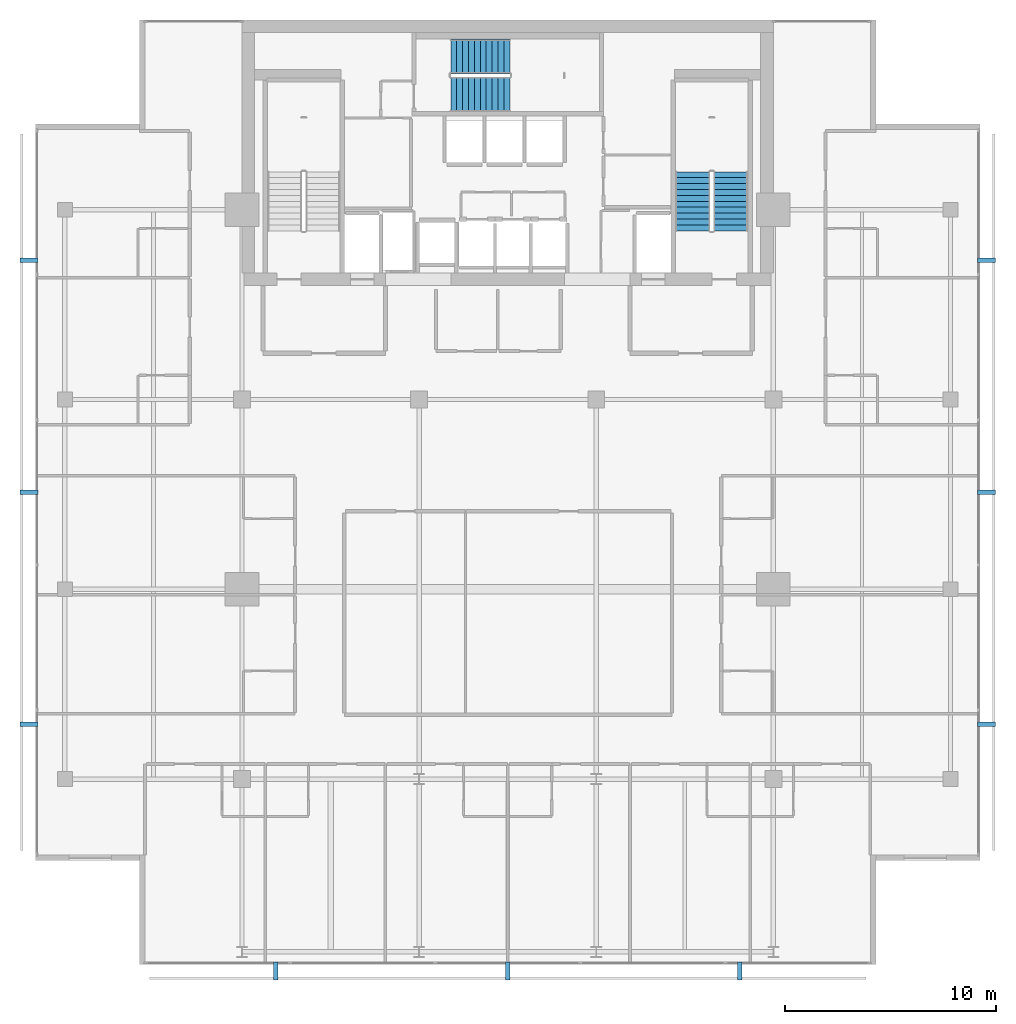
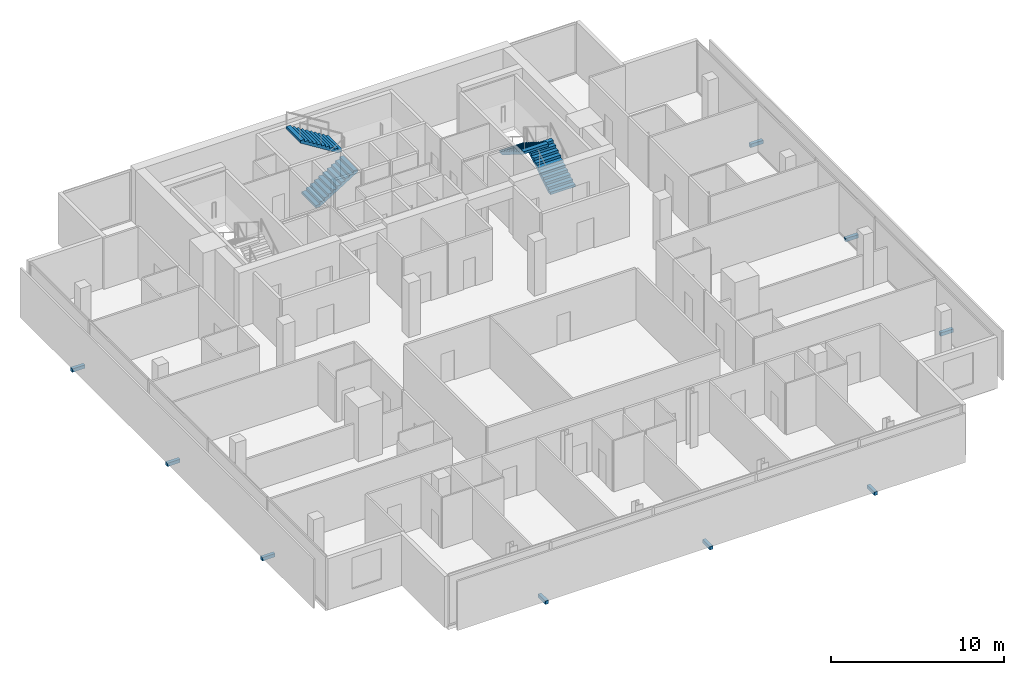
# One storey, part 24 of 26: 9 discrete accessories, 4 stair flights, 2 elements without a shape of their own.
"""IFC4 building model written with IfcOpenShell, lengths in metres."""

from ifc_helpers import new_model, si_unit, direction, frame, origin, origin_2d, place, context, subcontext, project, spatial, polyline, rectangle, outline, extrude, material, type_object, element, aggregate, save


model = new_model("IFC4")

# Units and contexts
model_context = context("Model", 3, precision=1e-05, world=origin(), true_north=direction((0.0, 1.0)))
body_context = subcontext(model_context, "Body", "Model", "MODEL_VIEW")
ifc_project = project(units=[si_unit("LENGTHUNIT", "METRE"), si_unit("AREAUNIT", "SQUARE_METRE"), si_unit("VOLUMEUNIT", "CUBIC_METRE"), si_unit("PLANEANGLEUNIT", "RADIAN"), si_unit("MASSUNIT", "GRAM", prefix="KILO")], contexts=[model_context])

# Site, building, storey
site_placement = place(None, origin())
site = spatial("IfcSite", under=ifc_project, at=site_placement, CompositionType="ELEMENT")
building_placement = place(site_placement, origin())
building = spatial("IfcBuilding", under=site, at=building_placement, Name="Maruvema Waterfront Hotel and Observation Tower", CompositionType="ELEMENT")
storey_placement = place(building_placement, frame((0.0, 0.0, 243.25)))
storey = spatial("IfcBuildingStorey", under=building, at=storey_placement, Name="L59", CompositionType="ELEMENT", Elevation=243.25)

# Stair, stair flights
ifc_material_1 = material(Name="Concrete C50/60", Category="concrete")
stair_type = type_object("IfcStairType", Name="Dogleg Exit Stair 1650 mm (22R x 175.0 mm)", PredefinedType="HALF_TURN_STAIR", material=ifc_material_1)
stair_1_placement = place(storey_placement, origin())
stair_1 = element("IfcStair", 1, at=stair_1_placement, inside=storey, type_object=stair_type, Name="L59 ST-02", PredefinedType="HALF_TURN_STAIR")
ifc_material_2 = material(Name="Concrete C50/60", Category="concrete")
stair_flight_type = type_object("IfcStairFlightType", Name="Reinforced Concrete Stair Flight 1650 mm (11R x 175.0 mm)", PredefinedType="STRAIGHT", material=ifc_material_2)
stair_flight_1_placement = place(storey_placement, frame((35.10009765625, 50.47509765625, 0.0), z_axis=(0.0, 0.0, 1.0), x_axis=(1.0, 0.0, 0.0)))
stair_flight_1 = element("IfcStairFlight", 2, at=stair_flight_1_placement, type_object=stair_flight_type, Name="ST-02 flight 1", NumberOfRisers=11, NumberOfTreads=10, PredefinedType="STRAIGHT", RiserHeight=0.175, TreadLength=0.28, context=body_context, shape_type="SweptSolid", body=[
    extrude(outline(polyline([(0.0, 0.0), (0.0, 0.175048828125), (0.280029296875, 0.175048828125), (0.280029296875, 0.35009765625), (0.56005859375, 0.35009765625), (0.56005859375, 0.52490234375), (0.840087890625, 0.52490234375), (0.840087890625, 0.699951171875), (1.1201171875, 0.699951171875), (1.1201171875, 0.875), (1.39990234375, 0.875), (1.39990234375, 1.050048828125), (1.679931640625, 1.050048828125), (1.679931640625, 1.22509765625), (1.9599609375, 1.22509765625), (1.9599609375, 1.39990234375), (2.239990234375, 1.39990234375), (2.239990234375, 1.574951171875), (2.52001953125, 1.574951171875), (2.52001953125, 1.75), (2.800048828125, 1.75), (2.800048828125, 1.925048828125), (2.800048828125, 1.5732421875), (0.28271484375, 0.0), (0.0, 0.0)])), frame((0.0, 0.824951171875, 0.0), z_axis=(0.0, -1.0, 0.0), x_axis=(1.0, 0.0, 0.0)), (0.0, 0.0, 1.0), 1.64990234375),
])
stair_flight_2_placement = place(storey_placement, frame((37.89990234375, 52.27490234375, 1.925048828125), z_axis=(0.0, 0.0, 1.0), x_axis=(-1.0, 0.0, 0.0)))
stair_flight_2 = element("IfcStairFlight", 3, at=stair_flight_2_placement, type_object=stair_flight_type, Name="ST-02 flight 2", NumberOfRisers=11, NumberOfTreads=10, PredefinedType="STRAIGHT", RiserHeight=0.175, TreadLength=0.28, context=body_context, shape_type="SweptSolid", body=[
    extrude(outline(polyline([(0.0, 0.0), (0.0, 0.175048828125), (0.280029296875, 0.175048828125), (0.280029296875, 0.35009765625), (0.56005859375, 0.35009765625), (0.56005859375, 0.52490234375), (0.840087890625, 0.52490234375), (0.840087890625, 0.699951171875), (1.1201171875, 0.699951171875), (1.1201171875, 0.875), (1.39990234375, 0.875), (1.39990234375, 1.050048828125), (1.679931640625, 1.050048828125), (1.679931640625, 1.22509765625), (1.9599609375, 1.22509765625), (1.9599609375, 1.39990234375), (2.239990234375, 1.39990234375), (2.239990234375, 1.574951171875), (2.52001953125, 1.574951171875), (2.52001953125, 1.75), (2.800048828125, 1.75), (2.800048828125, 1.925048828125), (2.800048828125, 1.5732421875), (0.28271484375, 0.0), (0.0, 0.0)])), frame((0.0, 0.824951171875, 0.0), z_axis=(0.0, -1.0, 0.0), x_axis=(1.0, 0.0, 0.0)), (0.0, 0.0, 1.0), 1.64990234375),
])
aggregate(stair_1, [stair_flight_1, stair_flight_2])

stair_2_placement = place(storey_placement, origin())
stair_2 = element("IfcStair", 4, at=stair_2_placement, inside=storey, type_object=stair_type, Name="L59 ST-03", PredefinedType="HALF_TURN_STAIR")
stair_flight_3_placement = place(storey_placement, frame((48.375, 44.0, 0.0), z_axis=(0.0, 0.0, 1.0), x_axis=(0.0, 1.0, 0.0)))
stair_flight_3 = element("IfcStairFlight", 5, at=stair_flight_3_placement, type_object=stair_flight_type, Name="ST-03 flight 1", NumberOfRisers=11, NumberOfTreads=10, PredefinedType="STRAIGHT", RiserHeight=0.175, TreadLength=0.28, context=body_context, shape_type="SweptSolid", body=[
    extrude(outline(polyline([(0.0, 0.0), (0.0, 0.175048828125), (0.280029296875, 0.175048828125), (0.280029296875, 0.35009765625), (0.56005859375, 0.35009765625), (0.56005859375, 0.52490234375), (0.840087890625, 0.52490234375), (0.840087890625, 0.699951171875), (1.1201171875, 0.699951171875), (1.1201171875, 0.875), (1.39990234375, 0.875), (1.39990234375, 1.050048828125), (1.679931640625, 1.050048828125), (1.679931640625, 1.22509765625), (1.9599609375, 1.22509765625), (1.9599609375, 1.39990234375), (2.239990234375, 1.39990234375), (2.239990234375, 1.574951171875), (2.52001953125, 1.574951171875), (2.52001953125, 1.75), (2.800048828125, 1.75), (2.800048828125, 1.925048828125), (2.800048828125, 1.5732421875), (0.28271484375, 0.0), (0.0, 0.0)])), frame((0.0, 0.824951171875, 0.0), z_axis=(0.0, -1.0, 0.0), x_axis=(1.0, 0.0, 0.0)), (0.0, 0.0, 1.0), 1.64990234375),
])
stair_flight_4_placement = place(storey_placement, frame((46.574951171875, 46.800048828125, 1.925048828125), z_axis=(0.0, 0.0, 1.0), x_axis=(0.0, -1.0, 0.0)))
stair_flight_4 = element("IfcStairFlight", 6, at=stair_flight_4_placement, type_object=stair_flight_type, Name="ST-03 flight 2", NumberOfRisers=11, NumberOfTreads=10, PredefinedType="STRAIGHT", RiserHeight=0.175, TreadLength=0.28, context=body_context, shape_type="SweptSolid", body=[
    extrude(outline(polyline([(0.0, 0.0), (0.0, 0.175048828125), (0.280029296875, 0.175048828125), (0.280029296875, 0.35009765625), (0.56005859375, 0.35009765625), (0.56005859375, 0.52490234375), (0.840087890625, 0.52490234375), (0.840087890625, 0.699951171875), (1.1201171875, 0.699951171875), (1.1201171875, 0.875), (1.39990234375, 0.875), (1.39990234375, 1.050048828125), (1.679931640625, 1.050048828125), (1.679931640625, 1.22509765625), (1.9599609375, 1.22509765625), (1.9599609375, 1.39990234375), (2.239990234375, 1.39990234375), (2.239990234375, 1.574951171875), (2.52001953125, 1.574951171875), (2.52001953125, 1.75), (2.800048828125, 1.75), (2.800048828125, 1.925048828125), (2.800048828125, 1.5732421875), (0.28271484375, 0.0), (0.0, 0.0)])), frame((0.0, 0.824951171875, 0.0), z_axis=(0.0, -1.0, 0.0), x_axis=(1.0, 0.0, 0.0)), (0.0, 0.0, 1.0), 1.64990234375),
])
aggregate(stair_2, [stair_flight_3, stair_flight_4])

# Discrete accessories
ifc_material_3 = material(Name="Duplex stainless steel Grade 2205", Category="steel")
discrete_accessory_type = type_object("IfcDiscreteAccessoryType", Name="Double-Skin Cavity Stainless Outrigger Bracket", PredefinedType="BRACKET", material=ifc_material_3)
for number, where, z_axis, x_axis, name in (
    (7, (26.7919921875, 8.89990234375, -0.14013671875), (0.0, 0.0, 1.0), (1.0, 0.0, 0.0), "L59 Outer Skin Support Bracket 1"),
    (8, (37.800048828125, 8.89990234375, -0.14013671875), (0.0, 0.0, 1.0), (1.0, 0.0, 0.0), "L59 Outer Skin Support Bracket 2"),
    (9, (48.80810546875, 8.89990234375, -0.14013671875), (0.0, 0.0, 1.0), (1.0, 0.0, 0.0), "L59 Outer Skin Support Bracket 3"),
    (10, (60.5, 20.592041015625, -0.14013671875), (0.0, 0.0, 1.0), (0.0, 1.0, 0.0), "L59 Outer Skin Support Bracket 1"),
    (11, (60.5, 31.60009765625, -0.14013671875), (0.0, 0.0, 1.0), (0.0, 1.0, 0.0), "L59 Outer Skin Support Bracket 2"),
    (12, (60.5, 42.60791015625, -0.14013671875), (0.0, 0.0, 1.0), (0.0, 1.0, 0.0), "L59 Outer Skin Support Bracket 3"),
    (13, (15.10009765625, 42.60791015625, -0.14013671875), (0.0, 0.0, 1.0), (0.0, -1.0, 0.0), "L59 Outer Skin Support Bracket 1"),
    (14, (15.10009765625, 31.60009765625, -0.14013671875), (0.0, 0.0, 1.0), (0.0, -1.0, 0.0), "L59 Outer Skin Support Bracket 2"),
    (15, (15.10009765625, 20.592041015625, -0.14013671875), (0.0, 0.0, 1.0), (0.0, -1.0, 0.0), "L59 Outer Skin Support Bracket 3"),
):
    element("IfcDiscreteAccessory", number, at=place(storey_placement, frame(where, z_axis=z_axis, x_axis=x_axis)), inside=storey, type_object=discrete_accessory_type, Name=name, PredefinedType="BRACKET", context=body_context, shape_type="SweptSolid", body=[
        extrude(rectangle(XDim=0.219970703125, YDim=0.860107421875, at=origin_2d()), origin(), (0.0, 0.0, 1.0), 0.239990234375),
    ])

save(model, "model.ifc")
